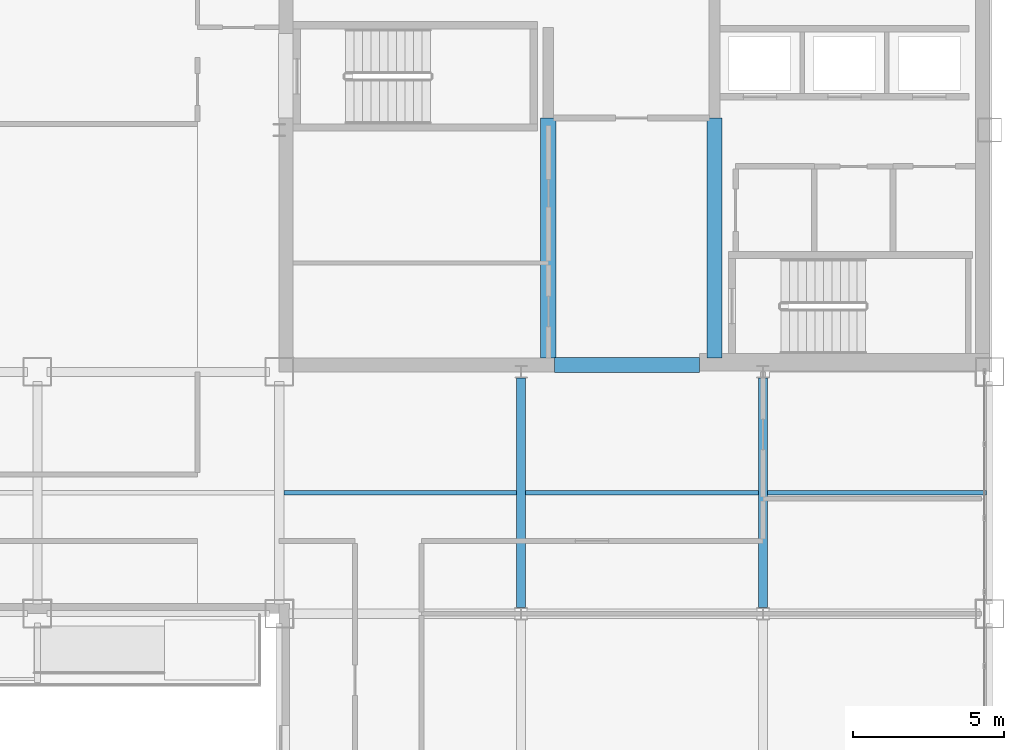
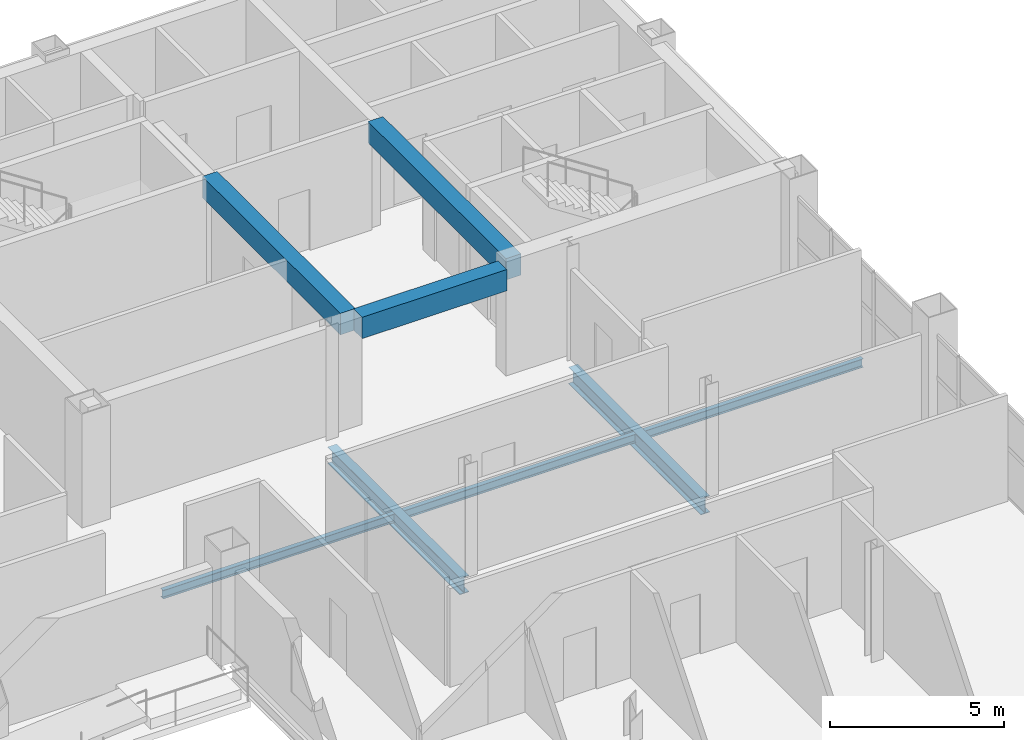
# One storey, part 5 of 14: 8 beams.
"""IFC4 building model written with IfcOpenShell, lengths in metres."""

from ifc_helpers import new_model, si_unit, direction, frame, origin, origin_2d, place, context, subcontext, project, spatial, rectangle, i_section, extrude, material, material_profile, profile_set, type_object, element, save


model = new_model("IFC4")

# Units and contexts
model_context = context("Model", 3, precision=1e-05, world=origin(), true_north=direction((0.0, 1.0)))
body_context = subcontext(model_context, "Body", "Model", "MODEL_VIEW")
ifc_project = project(units=[si_unit("LENGTHUNIT", "METRE"), si_unit("AREAUNIT", "SQUARE_METRE"), si_unit("VOLUMEUNIT", "CUBIC_METRE"), si_unit("PLANEANGLEUNIT", "RADIAN"), si_unit("MASSUNIT", "GRAM", prefix="KILO")], contexts=[model_context])

# Site, building, storey
site_placement = place(None, origin())
site = spatial("IfcSite", under=ifc_project, at=site_placement, CompositionType="ELEMENT")
building_placement = place(site_placement, origin())
building = spatial("IfcBuilding", under=site, at=building_placement, Name="Qianrong Seaharbour Tower", CompositionType="ELEMENT")
storey_placement = place(building_placement, frame((0.0, 0.0, 209.800048828125)))
storey = spatial("IfcBuildingStorey", under=building, at=storey_placement, Name="L50", CompositionType="ELEMENT", Elevation=209.800048828125)

# Beams
ifc_material_1 = material(Name="Structural steel SN490B", Category="steel")
ifc_material_profile_1 = material_profile(ifc_material_1, i_section(OverallWidth=0.300048828125, OverallDepth=0.587890625, WebThickness=0.011962890625, FlangeThickness=0.02001953125, FilletRadius=0.02392578125, at=origin_2d()), Name="H588x300x12x20")
ifc_profile_set_1 = profile_set([ifc_material_profile_1], Name="Structural steel SN490B")
beam_type_1 = type_object("IfcBeamType", Name="BM-G-588", PredefinedType="BEAM", material=ifc_profile_set_1)
for number, where, z_axis, x_axis, name in (
    (1, (48.5, 28.199951171875, -0.51904296875), (0.0, 1.0, 0.0), (-1.0, 0.0, 0.0), "L50 Primary Girder G7 GE-GF"),
    (2, (56.5, 28.199951171875, -0.51904296875), (0.0, 1.0, 0.0), (-1.0, 0.0, 0.0), "L50 Primary Girder G8 GE-GF"),
):
    element("IfcBeam", number, at=place(storey_placement, frame(where, z_axis=z_axis, x_axis=x_axis)), inside=storey, type_object=beam_type_1, Name=name, PredefinedType="BEAM", context=body_context, shape_type="SweptSolid", body=[
        extrude(i_section(OverallWidth=0.300048828125, OverallDepth=0.587890625, WebThickness=0.011962890625, FlangeThickness=0.02001953125, FilletRadius=0.02392578125, at=origin_2d()), origin(), (0.0, 0.0, 1.0), 7.60009765625),
    ])
ifc_material_2 = material(Name="Structural steel SN400B", Category="steel")
ifc_material_profile_2 = material_profile(ifc_material_2, i_section(OverallWidth=0.14990234375, OverallDepth=0.300048828125, WebThickness=0.006591796875, FlangeThickness=0.009033203125, FilletRadius=0.012939453125, at=origin_2d()), Name="H300x150x6.5x9")
ifc_profile_set_2 = profile_set([ifc_material_profile_2], Name="Structural steel SN400B")
beam_type_2 = type_object("IfcBeamType", Name="BM-J-300", PredefinedType="JOIST", material=ifc_profile_set_2)
for number, where, z_axis, x_axis, name in (
    (3, (40.64990234375, 32.0, -0.375), (1.0, 0.0, 0.0), (0.0, 1.0, 0.0), "L50 Composite Floor Joist G6-G7/GE-GF"),
    (4, (48.64990234375, 32.0, -0.375), (1.0, 0.0, 0.0), (0.0, 1.0, 0.0), "L50 Composite Floor Joist G7-G8/GE-GF"),
):
    element("IfcBeam", number, at=place(storey_placement, frame(where, z_axis=z_axis, x_axis=x_axis)), inside=storey, type_object=beam_type_2, Name=name, PredefinedType="JOIST", context=body_context, shape_type="SweptSolid", body=[
        extrude(i_section(OverallWidth=0.14990234375, OverallDepth=0.300048828125, WebThickness=0.006591796875, FlangeThickness=0.009033203125, FilletRadius=0.012939453125, at=origin_2d()), origin(), (0.0, 0.0, 1.0), 7.7001953125),
    ])
beam_1_placement = place(storey_placement, frame((56.64990234375, 32.0, -0.375), z_axis=(1.0, 0.0, 0.0), x_axis=(0.0, 1.0, 0.0)))
element("IfcBeam", 5, at=beam_1_placement, inside=storey, type_object=beam_type_2, Name="L50 Composite Floor Joist G8-G9/GE-GF", PredefinedType="JOIST", context=body_context, shape_type="SweptSolid", body=[
    extrude(i_section(OverallWidth=0.14990234375, OverallDepth=0.300048828125, WebThickness=0.006591796875, FlangeThickness=0.009033203125, FilletRadius=0.012939453125, at=origin_2d()), origin(), (0.0, 0.0, 1.0), 7.25),
])
ifc_material_3 = material(Name="Concrete C60/75", Category="concrete")
ifc_material_profile_3 = material_profile(ifc_material_3, rectangle(XDim=0.5, YDim=0.75, at=origin_2d()), Name="RC500x750")
ifc_profile_set_3 = profile_set([ifc_material_profile_3], Name="Concrete C60/75")
beam_type_3 = type_object("IfcBeamType", Name="BM-LINTEL-750", PredefinedType="LINTEL", material=ifc_profile_set_3)
beam_2_placement = place(storey_placement, frame((49.60009765625, 36.22998046875, 3.39990234375), z_axis=(1.0, 0.0, 0.0), x_axis=(0.0, 1.0, 0.0)))
element("IfcBeam", 6, at=beam_2_placement, inside=storey, type_object=beam_type_3, Name="L50 Core Coupling Lintel Beam CBC", PredefinedType="LINTEL", context=body_context, shape_type="SweptSolid", body=[
    extrude(rectangle(XDim=0.5, YDim=0.75, at=origin_2d()), origin(), (0.0, 0.0, 1.0), 4.7998046875),
])
for number, where, z_axis, x_axis, name in (
    (7, (49.39990234375, 36.4599609375, 3.39990234375), (0.0, 1.0, 0.0), (-1.0, 0.0, 0.0), "L50 Internal Core Coupling Beam IW1"),
    (8, (54.89990234375, 36.4599609375, 3.39990234375), (0.0, 1.0, 0.0), (-1.0, 0.0, 0.0), "L50 Internal Core Coupling Beam IW2"),
):
    element("IfcBeam", number, at=place(storey_placement, frame(where, z_axis=z_axis, x_axis=x_axis)), inside=storey, type_object=beam_type_3, Name=name, PredefinedType="LINTEL", context=body_context, shape_type="SweptSolid", body=[
        extrude(rectangle(XDim=0.5, YDim=0.75, at=origin_2d()), origin(), (0.0, 0.0, 1.0), 7.93994140625),
    ])

save(model, "model.ifc")
